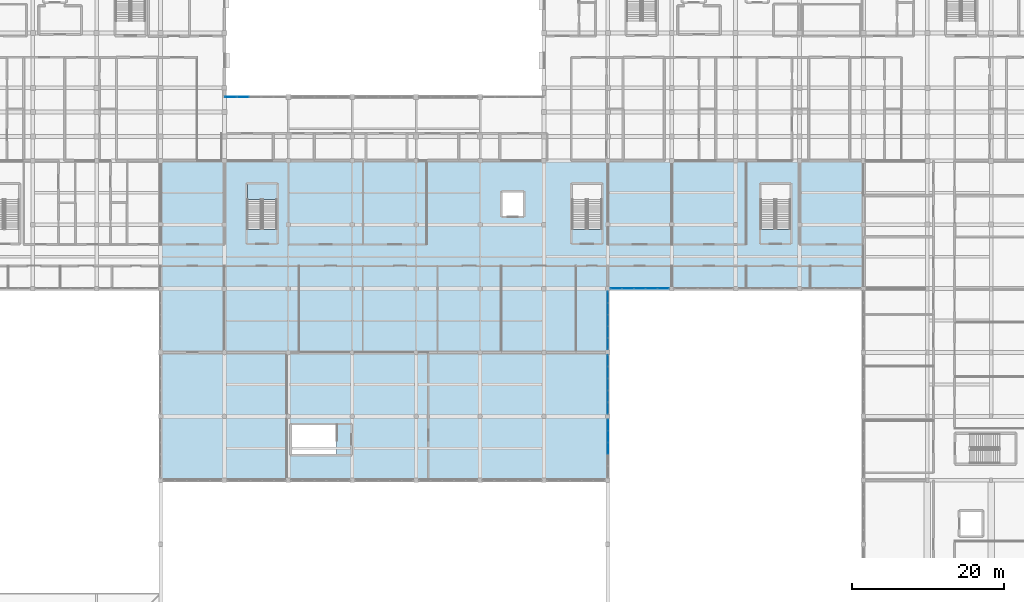
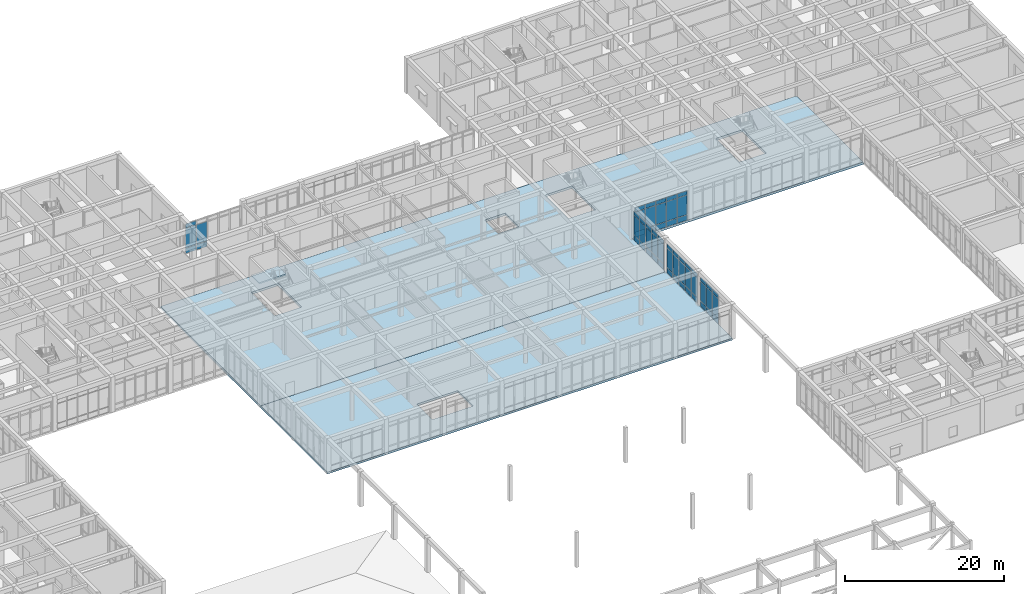
# One storey, part 45 of 89: 59 plates, 3 slabs, 6 elements without a shape of their own.
"""IFC4 building model written with IfcOpenShell, lengths in metres."""

import ifcopenshell
import ifcopenshell.guid

model = None  # the IFC model being written
_history = None  # IfcOwnerHistory: only IFC2X3 demands one
_inside = {}  # id of a spatial element -> (the spatial element, [elements in it])
_under = {}  # id of a project, library or spatial element -> (it, [spatial elements below it])
_declared = {}  # id of a project -> (the project, [libraries it declares])
_typed = {}  # id of a type object -> (the type object, [elements of that type])
_made_of = {}  # id of a material, layer set ... -> (it, [elements and type objects made of it])


def new_model(schema):
    """Start an empty IFC model of exactly this schema.

    Asked for "IFC4X3", IfcOpenShell would pick the latest addendum, in which some entities
    have other attributes; the version numbers below select the first issue.
    IFC2X3 requires an IfcOwnerHistory on every rooted entity: one is made here for all.
    """
    global model, _history
    if schema == "IFC4X3":
        model = ifcopenshell.file(schema_version=(4, 3, 0, 0))
    else:
        model = ifcopenshell.file(schema=schema)
    _inside.clear()
    _under.clear()
    _declared.clear()
    _typed.clear()
    _made_of.clear()
    _history = None
    if model.schema == "IFC2X3":
        org = make("IfcOrganization", Name="unknown")
        user = make(
            "IfcPersonAndOrganization",
            ThePerson=make("IfcPerson", FamilyName="unknown"),
            TheOrganization=org,
        )
        app = make(
            "IfcApplication",
            ApplicationDeveloper=org,
            Version="unknown",
            ApplicationFullName="unknown",
            ApplicationIdentifier="unknown",
        )
        _history = make(
            "IfcOwnerHistory",
            OwningUser=user,
            OwningApplication=app,
            ChangeAction="ADDED",
            CreationDate=0,
        )
    return model


def make(cls, **values):
    """One entity of the class cls with the attributes given. An attribute that is None is left unset."""
    return model.create_entity(
        cls, **{name: value for name, value in values.items() if value is not None}
    )


def rooted(cls, **values):
    """An entity with a GlobalId (a new one), such as an element, a storey or a relation."""
    return make(cls, GlobalId=ifcopenshell.guid.new(), OwnerHistory=_history, **values)


def si_unit(unit_type, name, prefix=None):
    """IfcSIUnit, for example si_unit("LENGTHUNIT", "METRE", prefix="MILLI")."""
    return make("IfcSIUnit", UnitType=unit_type, Prefix=prefix, Name=name)


def assignment(units):
    """IfcUnitAssignment: the units of a project."""
    return None if units is None else make("IfcUnitAssignment", Units=units)


def point(xyz):
    """IfcCartesianPoint."""
    return None if xyz is None else make("IfcCartesianPoint", Coordinates=xyz)


def direction(xyz):
    """IfcDirection."""
    return None if xyz is None else make("IfcDirection", DirectionRatios=xyz)


def frame(location, z_axis=None, x_axis=None):
    """IfcAxis2Placement3D, a coordinate frame: its origin and axes. An axis left out is left unset."""
    return make(
        "IfcAxis2Placement3D",
        Location=point(location),
        Axis=direction(z_axis),
        RefDirection=direction(x_axis),
    )


def frame_2d(location, x_axis=None):
    """IfcAxis2Placement2D, a coordinate frame in the plane: its origin and x axis."""
    return make(
        "IfcAxis2Placement2D", Location=point(location), RefDirection=direction(x_axis)
    )


def origin():
    """The frame at (0, 0, 0) with its axes left unset."""
    return frame((0.0, 0.0, 0.0))


def origin_2d():
    """The frame at (0, 0) in the plane with its x axis left unset."""
    return frame_2d((0.0, 0.0))


def place(relative_to, where):
    """IfcLocalPlacement: puts the frame where relative to a parent placement (None: the world)."""
    return make(
        "IfcLocalPlacement", PlacementRelTo=relative_to, RelativePlacement=where
    )


def context(
    kind, dimensions, precision=None, world=None, true_north=None, identifier=None
):
    """IfcGeometricRepresentationContext, for example the 3D "Model" context."""
    return make(
        "IfcGeometricRepresentationContext",
        ContextIdentifier=identifier,
        ContextType=kind,
        CoordinateSpaceDimension=dimensions,
        Precision=precision,
        WorldCoordinateSystem=world,
        TrueNorth=true_north,
    )


def subcontext(parent, identifier, kind, view, scale=None):
    """IfcGeometricRepresentationSubContext, for example "Body" below "Model"."""
    return make(
        "IfcGeometricRepresentationSubContext",
        ContextIdentifier=identifier,
        ContextType=kind,
        ParentContext=parent,
        TargetScale=scale,
        TargetView=view,
    )


def project(units=None, contexts=None):
    """IfcProject with its units and contexts."""
    return rooted(
        "IfcProject",
        Name="project",
        RepresentationContexts=contexts,
        UnitsInContext=assignment(units),
    )


def spatial(cls, under=None, at=None, **own):
    """A site, building, storey or space (cls), placed at a placement, below another one or the project."""
    s = rooted(cls, ObjectPlacement=at, **own)
    if under is not None:
        _under.setdefault(under.id(), (under, []))[1].append(s)
    return s


def polyline(points):
    """IfcPolyline through the points."""
    return make("IfcPolyline", Points=[point(p) for p in points])


def profile(cls, at=None, kind="AREA", **sizes):
    """A parametric profile (cls). Its sizes go by their IFC names, for example OverallWidth=200.0."""
    return make(cls, ProfileType=kind, Position=at, **sizes)


def rectangle(**sizes):
    """IfcRectangleProfileDef."""
    return profile("IfcRectangleProfileDef", **sizes)


def outline(outer, holes=None, kind="AREA"):
    """IfcArbitraryClosedProfileDef: a profile drawn as a closed curve; with holes, ...WithVoids."""
    if holes is None:
        return make("IfcArbitraryClosedProfileDef", ProfileType=kind, OuterCurve=outer)
    return make(
        "IfcArbitraryProfileDefWithVoids",
        ProfileType=kind,
        OuterCurve=outer,
        InnerCurves=holes,
    )


def extrude(swept, where, along, depth):
    """IfcExtrudedAreaSolid: the profile swept, set in the frame where, extruded along a direction by depth."""
    return make(
        "IfcExtrudedAreaSolid",
        SweptArea=swept,
        Position=where,
        ExtrudedDirection=direction(along),
        Depth=depth,
    )


def shape(context_of_items, identifier, shape_type, items):
    """IfcShapeRepresentation: the items that make up one representation, for example the "Body"."""
    return make(
        "IfcShapeRepresentation",
        ContextOfItems=context_of_items,
        RepresentationIdentifier=identifier,
        RepresentationType=shape_type,
        Items=items,
    )


def material(Name=None, Category=None):
    """IfcMaterial."""
    return make("IfcMaterial", Name=Name, Category=Category)


def layer(
    of_material, thickness, ventilated=None, Name=None, Category=None, Priority=None
):
    """IfcMaterialLayer: one layer of a wall or slab, of a material (None: an air gap)."""
    return make(
        "IfcMaterialLayer",
        Material=of_material,
        LayerThickness=thickness,
        IsVentilated=ventilated,
        Name=Name,
        Category=Category,
        Priority=Priority,
    )


def layer_set(layers, Name=None):
    """IfcMaterialLayerSet."""
    return make("IfcMaterialLayerSet", MaterialLayers=layers, LayerSetName=Name)


def made_of(thing, what):
    """Note that an element or type object is made of a material, layer set ...; save() writes the relation."""
    if what is not None:
        _made_of.setdefault(what.id(), (what, []))[1].append(thing)
    return thing


def type_object(cls, material=None, **own):
    """A type object (cls), such as IfcWallType, which elements share."""
    return made_of(rooted(cls, **own), material)


def element(
    cls,
    number,
    at=None,
    inside=None,
    cuts=None,
    type_object=None,
    material=None,
    context=None,
    identifier="Body",
    shape_type=None,
    held_by="IfcProductDefinitionShape",
    body=None,
    shapes=None,
    **own,
):
    """One element of the class cls, such as IfcWall. Its Tag is "e" and its number.

    at: its placement. inside: the storey or other place that contains it. cuts: it is an
    opening in that element (IfcRelVoidsElement). A single representation is given by context,
    identifier, shape_type and body (its items); several are given by shapes. held_by: the class
    of the entity that holds the representations. save() writes the other relations.
    """
    e = rooted(cls, Tag="e%d" % number, ObjectPlacement=at, **own)
    if body is not None:
        shapes = [shape(context, identifier, shape_type, body)]
    if shapes is not None:
        e.Representation = make(held_by, Representations=shapes)
    if inside is not None:
        _inside.setdefault(inside.id(), (inside, []))[1].append(e)
    if cuts is not None:
        rooted(
            "IfcRelVoidsElement", RelatingBuildingElement=cuts, RelatedOpeningElement=e
        )
    if type_object is not None:
        _typed.setdefault(type_object.id(), (type_object, []))[1].append(e)
    return made_of(e, material)


def aggregate(whole, parts):
    """IfcRelAggregates: a whole, such as a stair, and the parts it consists of."""
    return rooted("IfcRelAggregates", RelatingObject=whole, RelatedObjects=parts)


def save(model, path):
    """Write the relations noted so far, then the file.

    IfcRelAggregates (storeys below a building ...), IfcRelContainedInSpatialStructure (elements
    in a storey), IfcRelDefinesByType, IfcRelAssociatesMaterial and IfcRelDeclares: one each for
    every whole, place, type object, material and project.
    """
    for whole, parts in _under.values():
        aggregate(whole, parts)
    for where, things in _inside.values():
        rooted(
            "IfcRelContainedInSpatialStructure",
            RelatedElements=things,
            RelatingStructure=where,
        )
    for kind, things in _typed.values():
        rooted("IfcRelDefinesByType", RelatedObjects=things, RelatingType=kind)
    for what, things in _made_of.values():
        rooted("IfcRelAssociatesMaterial", RelatedObjects=things, RelatingMaterial=what)
    for by, libraries in _declared.values():
        rooted("IfcRelDeclares", RelatingContext=by, RelatedDefinitions=libraries)
    model.write(path)


model = new_model("IFC4")

# Units and contexts
model_context = context("Model", 3, precision=1e-05, world=origin(), true_north=direction((0.0, 1.0)))
body_context = subcontext(model_context, "Body", "Model", "MODEL_VIEW")
ifc_project = project(units=[si_unit("LENGTHUNIT", "METRE"), si_unit("AREAUNIT", "SQUARE_METRE"), si_unit("VOLUMEUNIT", "CUBIC_METRE"), si_unit("PLANEANGLEUNIT", "RADIAN"), si_unit("MASSUNIT", "GRAM", prefix="KILO")], contexts=[model_context])

# Site, building, storey
site_placement = place(None, origin())
site = spatial("IfcSite", under=ifc_project, at=site_placement, CompositionType="ELEMENT")
building_placement = place(site_placement, origin())
building = spatial("IfcBuilding", under=site, at=building_placement, Name="Varncliffe General Hospital", CompositionType="ELEMENT")
storey_placement = place(building_placement, frame((0.0, 0.0, 10.800048828125)))
storey = spatial("IfcBuildingStorey", under=building, at=storey_placement, Name="L02", CompositionType="ELEMENT", Elevation=10.800048828125)

# Curtain wall, plates
ifc_material_1 = material(Name="Triple low-E argon insulated vision glazing", Category="glass")
curtain_wall_type_1 = type_object("IfcCurtainWallType", Name="Unitised Glazed Curtain Wall CW70 (7724x4640)", PredefinedType="USERDEFINED", material=ifc_material_1)
curtain_wall_1_placement = place(storey_placement, origin())
curtain_wall_1 = element("IfcCurtainWall", 1, at=curtain_wall_1_placement, inside=storey, type_object=curtain_wall_type_1, Name="L02 Glazed Curtain Wall CW70-130", ObjectType="GLAZED CURTAIN WALL", PredefinedType="USERDEFINED")
ifc_layer_1 = layer(ifc_material_1, 0.0439453125)
ifc_layer_set_1 = layer_set([ifc_layer_1], Name="Triple low-E argon insulated vision glazing")
plate_type_1 = type_object("IfcPlateType", Name="Curtain Wall Glazing Panel CP12 (44mm)", PredefinedType="CURTAIN_PANEL", material=ifc_layer_set_1)
plate_1_placement = place(storey_placement, frame((124.870849609375, 82.800048828125, 0.059814453125), z_axis=(0.0, 0.0, 1.0), x_axis=(-1.0, 0.0, 0.0)))
plate_1 = element("IfcPlate", 2, at=plate_1_placement, type_object=plate_type_1, Name="CW70 panel 1.1", PredefinedType="CURTAIN_PANEL", context=body_context, shape_type="SweptSolid", body=[
    extrude(rectangle(XDim=1.432373046875, YDim=0.0439453125, at=origin_2d()), origin(), (0.0, 0.0, 1.0), 0.81005859375),
])
plate_2_placement = place(storey_placement, frame((124.870849609375, 82.800048828125, 0.929931640625), z_axis=(0.0, 0.0, 1.0), x_axis=(-1.0, 0.0, 0.0)))
plate_2 = element("IfcPlate", 3, at=plate_2_placement, type_object=plate_type_1, Name="CW70 panel 1.2", PredefinedType="CURTAIN_PANEL", context=body_context, shape_type="SweptSolid", body=[
    extrude(rectangle(XDim=1.432373046875, YDim=0.0439453125, at=origin_2d()), origin(), (0.0, 0.0, 1.0), 2.97998046875),
])
plate_3_placement = place(storey_placement, frame((124.870849609375, 82.800048828125, 3.9697265625), z_axis=(0.0, 0.0, 1.0), x_axis=(-1.0, 0.0, 0.0)))
plate_3 = element("IfcPlate", 4, at=plate_3_placement, type_object=plate_type_1, Name="CW70 panel 1.3", PredefinedType="CURTAIN_PANEL", context=body_context, shape_type="SweptSolid", body=[
    extrude(rectangle(XDim=1.432373046875, YDim=0.0439453125, at=origin_2d()), origin(), (0.0, 0.0, 1.0), 0.610107421875),
])
plate_4_placement = place(storey_placement, frame((123.3447265625, 82.800048828125, 0.059814453125), z_axis=(0.0, 0.0, 1.0), x_axis=(-1.0, 0.0, 0.0)))
plate_4 = element("IfcPlate", 5, at=plate_4_placement, type_object=plate_type_1, Name="CW70 panel 2.1", PredefinedType="CURTAIN_PANEL", context=body_context, shape_type="SweptSolid", body=[
    extrude(rectangle(XDim=1.4697265625, YDim=0.0439453125, at=origin_2d()), origin(), (0.0, 0.0, 1.0), 0.81005859375),
])
plate_5_placement = place(storey_placement, frame((123.3447265625, 82.800048828125, 0.929931640625), z_axis=(0.0, 0.0, 1.0), x_axis=(-1.0, 0.0, 0.0)))
plate_5 = element("IfcPlate", 6, at=plate_5_placement, type_object=plate_type_1, Name="CW70 panel 2.2", PredefinedType="CURTAIN_PANEL", context=body_context, shape_type="SweptSolid", body=[
    extrude(rectangle(XDim=1.4697265625, YDim=0.0439453125, at=origin_2d()), origin(), (0.0, 0.0, 1.0), 2.97998046875),
])
plate_6_placement = place(storey_placement, frame((123.3447265625, 82.800048828125, 3.9697265625), z_axis=(0.0, 0.0, 1.0), x_axis=(-1.0, 0.0, 0.0)))
plate_6 = element("IfcPlate", 7, at=plate_6_placement, type_object=plate_type_1, Name="CW70 panel 2.3", PredefinedType="CURTAIN_PANEL", context=body_context, shape_type="SweptSolid", body=[
    extrude(rectangle(XDim=1.4697265625, YDim=0.0439453125, at=origin_2d()), origin(), (0.0, 0.0, 1.0), 0.610107421875),
])
plate_7_placement = place(storey_placement, frame((121.800048828125, 82.800048828125, 0.059814453125), z_axis=(0.0, 0.0, 1.0), x_axis=(-1.0, 0.0, 0.0)))
plate_7 = element("IfcPlate", 8, at=plate_7_placement, type_object=plate_type_1, Name="CW70 panel 3.1", PredefinedType="CURTAIN_PANEL", context=body_context, shape_type="SweptSolid", body=[
    extrude(rectangle(XDim=1.4697265625, YDim=0.0439453125, at=origin_2d()), origin(), (0.0, 0.0, 1.0), 0.81005859375),
])
plate_8_placement = place(storey_placement, frame((121.800048828125, 82.800048828125, 0.929931640625), z_axis=(0.0, 0.0, 1.0), x_axis=(-1.0, 0.0, 0.0)))
plate_8 = element("IfcPlate", 9, at=plate_8_placement, type_object=plate_type_1, Name="CW70 panel 3.2", PredefinedType="CURTAIN_PANEL", context=body_context, shape_type="SweptSolid", body=[
    extrude(rectangle(XDim=1.4697265625, YDim=0.0439453125, at=origin_2d()), origin(), (0.0, 0.0, 1.0), 2.97998046875),
])
plate_9_placement = place(storey_placement, frame((121.800048828125, 82.800048828125, 3.9697265625), z_axis=(0.0, 0.0, 1.0), x_axis=(-1.0, 0.0, 0.0)))
plate_9 = element("IfcPlate", 10, at=plate_9_placement, type_object=plate_type_1, Name="CW70 panel 3.3", PredefinedType="CURTAIN_PANEL", context=body_context, shape_type="SweptSolid", body=[
    extrude(rectangle(XDim=1.4697265625, YDim=0.0439453125, at=origin_2d()), origin(), (0.0, 0.0, 1.0), 0.610107421875),
])
plate_10_placement = place(storey_placement, frame((120.255126953125, 82.800048828125, 0.059814453125), z_axis=(0.0, 0.0, 1.0), x_axis=(-1.0, 0.0, 0.0)))
plate_10 = element("IfcPlate", 11, at=plate_10_placement, type_object=plate_type_1, Name="CW70 panel 4.1", PredefinedType="CURTAIN_PANEL", context=body_context, shape_type="SweptSolid", body=[
    extrude(rectangle(XDim=1.4697265625, YDim=0.0439453125, at=origin_2d()), origin(), (0.0, 0.0, 1.0), 0.81005859375),
])
plate_11_placement = place(storey_placement, frame((120.255126953125, 82.800048828125, 0.929931640625), z_axis=(0.0, 0.0, 1.0), x_axis=(-1.0, 0.0, 0.0)))
plate_11 = element("IfcPlate", 12, at=plate_11_placement, type_object=plate_type_1, Name="CW70 panel 4.2", PredefinedType="CURTAIN_PANEL", context=body_context, shape_type="SweptSolid", body=[
    extrude(rectangle(XDim=1.4697265625, YDim=0.0439453125, at=origin_2d()), origin(), (0.0, 0.0, 1.0), 2.97998046875),
])
plate_12_placement = place(storey_placement, frame((120.255126953125, 82.800048828125, 3.9697265625), z_axis=(0.0, 0.0, 1.0), x_axis=(-1.0, 0.0, 0.0)))
plate_12 = element("IfcPlate", 13, at=plate_12_placement, type_object=plate_type_1, Name="CW70 panel 4.3", PredefinedType="CURTAIN_PANEL", context=body_context, shape_type="SweptSolid", body=[
    extrude(rectangle(XDim=1.4697265625, YDim=0.0439453125, at=origin_2d()), origin(), (0.0, 0.0, 1.0), 0.610107421875),
])
plate_13_placement = place(storey_placement, frame((118.729248046875, 82.800048828125, 0.059814453125), z_axis=(0.0, 0.0, 1.0), x_axis=(-1.0, 0.0, 0.0)))
plate_13 = element("IfcPlate", 14, at=plate_13_placement, type_object=plate_type_1, Name="CW70 panel 5.1", PredefinedType="CURTAIN_PANEL", context=body_context, shape_type="SweptSolid", body=[
    extrude(rectangle(XDim=1.432373046875, YDim=0.0439453125, at=origin_2d()), origin(), (0.0, 0.0, 1.0), 0.81005859375),
])
plate_14_placement = place(storey_placement, frame((118.729248046875, 82.800048828125, 0.929931640625), z_axis=(0.0, 0.0, 1.0), x_axis=(-1.0, 0.0, 0.0)))
plate_14 = element("IfcPlate", 15, at=plate_14_placement, type_object=plate_type_1, Name="CW70 panel 5.2", PredefinedType="CURTAIN_PANEL", context=body_context, shape_type="SweptSolid", body=[
    extrude(rectangle(XDim=1.432373046875, YDim=0.0439453125, at=origin_2d()), origin(), (0.0, 0.0, 1.0), 2.97998046875),
])
plate_15_placement = place(storey_placement, frame((118.729248046875, 82.800048828125, 3.9697265625), z_axis=(0.0, 0.0, 1.0), x_axis=(-1.0, 0.0, 0.0)))
plate_15 = element("IfcPlate", 16, at=plate_15_placement, type_object=plate_type_1, Name="CW70 panel 5.3", PredefinedType="CURTAIN_PANEL", context=body_context, shape_type="SweptSolid", body=[
    extrude(rectangle(XDim=1.432373046875, YDim=0.0439453125, at=origin_2d()), origin(), (0.0, 0.0, 1.0), 0.610107421875),
])
aggregate(curtain_wall_1, [plate_1, plate_2, plate_3, plate_4, plate_5, plate_6, plate_7, plate_8, plate_9, plate_10, plate_11, plate_12, plate_13, plate_14, plate_15])

curtain_wall_2_placement = place(storey_placement, origin())
curtain_wall_2 = element("IfcCurtainWall", 17, at=curtain_wall_2_placement, inside=storey, type_object=curtain_wall_type_1, Name="L02 Glazed Curtain Wall CW70-133", ObjectType="GLAZED CURTAIN WALL", PredefinedType="USERDEFINED")
plate_16_placement = place(storey_placement, frame((117.60009765625, 64.870849609375, 0.059814453125), z_axis=(0.0, 0.0, 1.0), x_axis=(0.0, -1.0, 0.0)))
plate_16 = element("IfcPlate", 18, at=plate_16_placement, type_object=plate_type_1, Name="CW70 panel 1.1", PredefinedType="CURTAIN_PANEL", context=body_context, shape_type="SweptSolid", body=[
    extrude(rectangle(XDim=1.432373046875, YDim=0.0439453125, at=origin_2d()), origin(), (0.0, 0.0, 1.0), 0.81005859375),
])
plate_17_placement = place(storey_placement, frame((117.60009765625, 64.870849609375, 0.929931640625), z_axis=(0.0, 0.0, 1.0), x_axis=(0.0, -1.0, 0.0)))
plate_17 = element("IfcPlate", 19, at=plate_17_placement, type_object=plate_type_1, Name="CW70 panel 1.2", PredefinedType="CURTAIN_PANEL", context=body_context, shape_type="SweptSolid", body=[
    extrude(rectangle(XDim=1.432373046875, YDim=0.0439453125, at=origin_2d()), origin(), (0.0, 0.0, 1.0), 2.97998046875),
])
plate_18_placement = place(storey_placement, frame((117.60009765625, 64.870849609375, 3.9697265625), z_axis=(0.0, 0.0, 1.0), x_axis=(0.0, -1.0, 0.0)))
plate_18 = element("IfcPlate", 20, at=plate_18_placement, type_object=plate_type_1, Name="CW70 panel 1.3", PredefinedType="CURTAIN_PANEL", context=body_context, shape_type="SweptSolid", body=[
    extrude(rectangle(XDim=1.432373046875, YDim=0.0439453125, at=origin_2d()), origin(), (0.0, 0.0, 1.0), 0.610107421875),
])
plate_19_placement = place(storey_placement, frame((117.60009765625, 63.3447265625, 0.059814453125), z_axis=(0.0, 0.0, 1.0), x_axis=(0.0, -1.0, 0.0)))
plate_19 = element("IfcPlate", 21, at=plate_19_placement, type_object=plate_type_1, Name="CW70 panel 2.1", PredefinedType="CURTAIN_PANEL", context=body_context, shape_type="SweptSolid", body=[
    extrude(rectangle(XDim=1.4697265625, YDim=0.0439453125, at=origin_2d()), origin(), (0.0, 0.0, 1.0), 0.81005859375),
])
plate_20_placement = place(storey_placement, frame((117.60009765625, 63.3447265625, 0.929931640625), z_axis=(0.0, 0.0, 1.0), x_axis=(0.0, -1.0, 0.0)))
plate_20 = element("IfcPlate", 22, at=plate_20_placement, type_object=plate_type_1, Name="CW70 panel 2.2", PredefinedType="CURTAIN_PANEL", context=body_context, shape_type="SweptSolid", body=[
    extrude(rectangle(XDim=1.4697265625, YDim=0.0439453125, at=origin_2d()), origin(), (0.0, 0.0, 1.0), 2.97998046875),
])
plate_21_placement = place(storey_placement, frame((117.60009765625, 63.3447265625, 3.9697265625), z_axis=(0.0, 0.0, 1.0), x_axis=(0.0, -1.0, 0.0)))
plate_21 = element("IfcPlate", 23, at=plate_21_placement, type_object=plate_type_1, Name="CW70 panel 2.3", PredefinedType="CURTAIN_PANEL", context=body_context, shape_type="SweptSolid", body=[
    extrude(rectangle(XDim=1.4697265625, YDim=0.0439453125, at=origin_2d()), origin(), (0.0, 0.0, 1.0), 0.610107421875),
])
plate_22_placement = place(storey_placement, frame((117.60009765625, 61.800048828125, 0.059814453125), z_axis=(0.0, 0.0, 1.0), x_axis=(0.0, -1.0, 0.0)))
plate_22 = element("IfcPlate", 24, at=plate_22_placement, type_object=plate_type_1, Name="CW70 panel 3.1", PredefinedType="CURTAIN_PANEL", context=body_context, shape_type="SweptSolid", body=[
    extrude(rectangle(XDim=1.4697265625, YDim=0.0439453125, at=origin_2d()), origin(), (0.0, 0.0, 1.0), 0.81005859375),
])
plate_23_placement = place(storey_placement, frame((117.60009765625, 61.800048828125, 0.929931640625), z_axis=(0.0, 0.0, 1.0), x_axis=(0.0, -1.0, 0.0)))
plate_23 = element("IfcPlate", 25, at=plate_23_placement, type_object=plate_type_1, Name="CW70 panel 3.2", PredefinedType="CURTAIN_PANEL", context=body_context, shape_type="SweptSolid", body=[
    extrude(rectangle(XDim=1.4697265625, YDim=0.0439453125, at=origin_2d()), origin(), (0.0, 0.0, 1.0), 2.97998046875),
])
plate_24_placement = place(storey_placement, frame((117.60009765625, 61.800048828125, 3.9697265625), z_axis=(0.0, 0.0, 1.0), x_axis=(0.0, -1.0, 0.0)))
plate_24 = element("IfcPlate", 26, at=plate_24_placement, type_object=plate_type_1, Name="CW70 panel 3.3", PredefinedType="CURTAIN_PANEL", context=body_context, shape_type="SweptSolid", body=[
    extrude(rectangle(XDim=1.4697265625, YDim=0.0439453125, at=origin_2d()), origin(), (0.0, 0.0, 1.0), 0.610107421875),
])
aggregate(curtain_wall_2, [plate_16, plate_17, plate_18, plate_19, plate_20, plate_21, plate_22, plate_23, plate_24])

curtain_wall_type_2 = type_object("IfcCurtainWallType", Name="Unitised Glazed Curtain Wall CW85 (7804x4640)", PredefinedType="USERDEFINED", material=ifc_material_1)
curtain_wall_3_placement = place(storey_placement, origin())
curtain_wall_3 = element("IfcCurtainWall", 27, at=curtain_wall_3_placement, inside=storey, type_object=curtain_wall_type_2, Name="L02 Glazed Curtain Wall CW85-132", ObjectType="GLAZED CURTAIN WALL", PredefinedType="USERDEFINED")
ifc_layer_2 = layer(ifc_material_1, 0.035888671875)
ifc_layer_set_2 = layer_set([ifc_layer_2], Name="Triple low-E argon insulated vision glazing")
plate_type_2 = type_object("IfcPlateType", Name="Curtain Wall Glazing Panel CP27 (36mm)", PredefinedType="CURTAIN_PANEL", material=ifc_layer_set_2)
plate_25_placement = place(storey_placement, frame((117.60009765625, 73.302734375, 0.06494140625), z_axis=(0.0, 0.0, 1.0), x_axis=(0.0, -1.0, 0.0)))
plate_25 = element("IfcPlate", 28, at=plate_25_placement, type_object=plate_type_2, Name="CW85 panel 1.1", PredefinedType="CURTAIN_PANEL", context=body_context, shape_type="SweptSolid", body=[
    extrude(rectangle(XDim=1.4482421875, YDim=0.035888671875, at=origin_2d()), origin(), (0.0, 0.0, 1.0), 0.802490234375),
])
plate_26_placement = place(storey_placement, frame((117.60009765625, 73.302734375, 0.932373046875), z_axis=(0.0, 0.0, 1.0), x_axis=(0.0, -1.0, 0.0)))
plate_26 = element("IfcPlate", 29, at=plate_26_placement, type_object=plate_type_2, Name="CW85 panel 1.2", PredefinedType="CURTAIN_PANEL", context=body_context, shape_type="SweptSolid", body=[
    extrude(rectangle(XDim=1.4482421875, YDim=0.035888671875, at=origin_2d()), origin(), (0.0, 0.0, 1.0), 2.97509765625),
])
plate_27_placement = place(storey_placement, frame((117.60009765625, 73.302734375, 3.972412109375), z_axis=(0.0, 0.0, 1.0), x_axis=(0.0, -1.0, 0.0)))
plate_27 = element("IfcPlate", 30, at=plate_27_placement, type_object=plate_type_2, Name="CW85 panel 1.3", PredefinedType="CURTAIN_PANEL", context=body_context, shape_type="SweptSolid", body=[
    extrude(rectangle(XDim=1.4482421875, YDim=0.035888671875, at=origin_2d()), origin(), (0.0, 0.0, 1.0), 0.6025390625),
])
plate_28_placement = place(storey_placement, frame((117.60009765625, 71.7607421875, 0.06494140625), z_axis=(0.0, 0.0, 1.0), x_axis=(0.0, -1.0, 0.0)))
plate_28 = element("IfcPlate", 31, at=plate_28_placement, type_object=plate_type_2, Name="CW85 panel 2.1", PredefinedType="CURTAIN_PANEL", context=body_context, shape_type="SweptSolid", body=[
    extrude(rectangle(XDim=1.48583984375, YDim=0.035888671875, at=origin_2d()), origin(), (0.0, 0.0, 1.0), 0.802490234375),
])
plate_29_placement = place(storey_placement, frame((117.60009765625, 71.7607421875, 0.932373046875), z_axis=(0.0, 0.0, 1.0), x_axis=(0.0, -1.0, 0.0)))
plate_29 = element("IfcPlate", 32, at=plate_29_placement, type_object=plate_type_2, Name="CW85 panel 2.2", PredefinedType="CURTAIN_PANEL", context=body_context, shape_type="SweptSolid", body=[
    extrude(rectangle(XDim=1.48583984375, YDim=0.035888671875, at=origin_2d()), origin(), (0.0, 0.0, 1.0), 2.97509765625),
])
plate_30_placement = place(storey_placement, frame((117.60009765625, 71.7607421875, 3.972412109375), z_axis=(0.0, 0.0, 1.0), x_axis=(0.0, -1.0, 0.0)))
plate_30 = element("IfcPlate", 33, at=plate_30_placement, type_object=plate_type_2, Name="CW85 panel 2.3", PredefinedType="CURTAIN_PANEL", context=body_context, shape_type="SweptSolid", body=[
    extrude(rectangle(XDim=1.48583984375, YDim=0.035888671875, at=origin_2d()), origin(), (0.0, 0.0, 1.0), 0.6025390625),
])
plate_31_placement = place(storey_placement, frame((117.60009765625, 70.199951171875, 0.06494140625), z_axis=(0.0, 0.0, 1.0), x_axis=(0.0, -1.0, 0.0)))
plate_31 = element("IfcPlate", 34, at=plate_31_placement, type_object=plate_type_2, Name="CW85 panel 3.1", PredefinedType="CURTAIN_PANEL", context=body_context, shape_type="SweptSolid", body=[
    extrude(rectangle(XDim=1.48583984375, YDim=0.035888671875, at=origin_2d()), origin(), (0.0, 0.0, 1.0), 0.802490234375),
])
plate_32_placement = place(storey_placement, frame((117.60009765625, 70.199951171875, 0.932373046875), z_axis=(0.0, 0.0, 1.0), x_axis=(0.0, -1.0, 0.0)))
plate_32 = element("IfcPlate", 35, at=plate_32_placement, type_object=plate_type_2, Name="CW85 panel 3.2", PredefinedType="CURTAIN_PANEL", context=body_context, shape_type="SweptSolid", body=[
    extrude(rectangle(XDim=1.48583984375, YDim=0.035888671875, at=origin_2d()), origin(), (0.0, 0.0, 1.0), 2.97509765625),
])
plate_33_placement = place(storey_placement, frame((117.60009765625, 70.199951171875, 3.972412109375), z_axis=(0.0, 0.0, 1.0), x_axis=(0.0, -1.0, 0.0)))
plate_33 = element("IfcPlate", 36, at=plate_33_placement, type_object=plate_type_2, Name="CW85 panel 3.3", PredefinedType="CURTAIN_PANEL", context=body_context, shape_type="SweptSolid", body=[
    extrude(rectangle(XDim=1.48583984375, YDim=0.035888671875, at=origin_2d()), origin(), (0.0, 0.0, 1.0), 0.6025390625),
])
plate_34_placement = place(storey_placement, frame((117.60009765625, 68.63916015625, 0.06494140625), z_axis=(0.0, 0.0, 1.0), x_axis=(0.0, -1.0, 0.0)))
plate_34 = element("IfcPlate", 37, at=plate_34_placement, type_object=plate_type_2, Name="CW85 panel 4.1", PredefinedType="CURTAIN_PANEL", context=body_context, shape_type="SweptSolid", body=[
    extrude(rectangle(XDim=1.48583984375, YDim=0.035888671875, at=origin_2d()), origin(), (0.0, 0.0, 1.0), 0.802490234375),
])
plate_35_placement = place(storey_placement, frame((117.60009765625, 68.63916015625, 0.932373046875), z_axis=(0.0, 0.0, 1.0), x_axis=(0.0, -1.0, 0.0)))
plate_35 = element("IfcPlate", 38, at=plate_35_placement, type_object=plate_type_2, Name="CW85 panel 4.2", PredefinedType="CURTAIN_PANEL", context=body_context, shape_type="SweptSolid", body=[
    extrude(rectangle(XDim=1.48583984375, YDim=0.035888671875, at=origin_2d()), origin(), (0.0, 0.0, 1.0), 2.97509765625),
])
plate_36_placement = place(storey_placement, frame((117.60009765625, 68.63916015625, 3.972412109375), z_axis=(0.0, 0.0, 1.0), x_axis=(0.0, -1.0, 0.0)))
plate_36 = element("IfcPlate", 39, at=plate_36_placement, type_object=plate_type_2, Name="CW85 panel 4.3", PredefinedType="CURTAIN_PANEL", context=body_context, shape_type="SweptSolid", body=[
    extrude(rectangle(XDim=1.48583984375, YDim=0.035888671875, at=origin_2d()), origin(), (0.0, 0.0, 1.0), 0.6025390625),
])
plate_37_placement = place(storey_placement, frame((117.60009765625, 67.09716796875, 0.06494140625), z_axis=(0.0, 0.0, 1.0), x_axis=(0.0, -1.0, 0.0)))
plate_37 = element("IfcPlate", 40, at=plate_37_placement, type_object=plate_type_2, Name="CW85 panel 5.1", PredefinedType="CURTAIN_PANEL", context=body_context, shape_type="SweptSolid", body=[
    extrude(rectangle(XDim=1.4482421875, YDim=0.035888671875, at=origin_2d()), origin(), (0.0, 0.0, 1.0), 0.802490234375),
])
plate_38_placement = place(storey_placement, frame((117.60009765625, 67.09716796875, 0.932373046875), z_axis=(0.0, 0.0, 1.0), x_axis=(0.0, -1.0, 0.0)))
plate_38 = element("IfcPlate", 41, at=plate_38_placement, type_object=plate_type_2, Name="CW85 panel 5.2", PredefinedType="CURTAIN_PANEL", context=body_context, shape_type="SweptSolid", body=[
    extrude(rectangle(XDim=1.4482421875, YDim=0.035888671875, at=origin_2d()), origin(), (0.0, 0.0, 1.0), 2.97509765625),
])
plate_39_placement = place(storey_placement, frame((117.60009765625, 67.09716796875, 3.972412109375), z_axis=(0.0, 0.0, 1.0), x_axis=(0.0, -1.0, 0.0)))
plate_39 = element("IfcPlate", 42, at=plate_39_placement, type_object=plate_type_2, Name="CW85 panel 5.3", PredefinedType="CURTAIN_PANEL", context=body_context, shape_type="SweptSolid", body=[
    extrude(rectangle(XDim=1.4482421875, YDim=0.035888671875, at=origin_2d()), origin(), (0.0, 0.0, 1.0), 0.6025390625),
])
aggregate(curtain_wall_3, [plate_25, plate_26, plate_27, plate_28, plate_29, plate_30, plate_31, plate_32, plate_33, plate_34, plate_35, plate_36, plate_37, plate_38, plate_39])

curtain_wall_type_3 = type_object("IfcCurtainWallType", Name="Unitised Glazed Curtain Wall CW32 (8077x4640)", PredefinedType="USERDEFINED", material=ifc_material_1)
curtain_wall_4_placement = place(storey_placement, origin())
curtain_wall_4 = element("IfcCurtainWall", 43, at=curtain_wall_4_placement, inside=storey, type_object=curtain_wall_type_3, Name="L02 Glazed Curtain Wall CW32-111", ObjectType="GLAZED CURTAIN WALL", PredefinedType="USERDEFINED")
ifc_material_2 = material(Name="Insulated ceramic-fritted spandrel glazing panel", Category="glass")
ifc_layer_3 = layer(ifc_material_2, 0.052001953125)
ifc_layer_set_3 = layer_set([ifc_layer_3], Name="Insulated ceramic-fritted spandrel glazing panel")
plate_type_3 = type_object("IfcPlateType", Name="Curtain Wall Glazing Panel CP46 (52mm)", PredefinedType="CURTAIN_PANEL", material=ifc_layer_set_3)
plate_40_placement = place(storey_placement, frame((68.0263671875, 108.0, 0.06494140625), z_axis=(0.0, 0.0, 1.0), x_axis=(1.0, 0.0, 0.0)))
plate_40 = element("IfcPlate", 44, at=plate_40_placement, type_object=plate_type_3, Name="CW32 panel 1.1", PredefinedType="CURTAIN_PANEL", context=body_context, shape_type="SweptSolid", body=[
    extrude(rectangle(XDim=1.5029296875, YDim=0.052001953125, at=origin_2d()), origin(), (0.0, 0.0, 1.0), 0.802490234375),
])
plate_41_placement = place(storey_placement, frame((68.0263671875, 108.0, 0.932373046875), z_axis=(0.0, 0.0, 1.0), x_axis=(1.0, 0.0, 0.0)))
plate_41 = element("IfcPlate", 45, at=plate_41_placement, type_object=plate_type_3, Name="CW32 panel 1.2", PredefinedType="CURTAIN_PANEL", context=body_context, shape_type="SweptSolid", body=[
    extrude(rectangle(XDim=1.5029296875, YDim=0.052001953125, at=origin_2d()), origin(), (0.0, 0.0, 1.0), 2.97509765625),
])
plate_42_placement = place(storey_placement, frame((68.0263671875, 108.0, 3.972412109375), z_axis=(0.0, 0.0, 1.0), x_axis=(1.0, 0.0, 0.0)))
plate_42 = element("IfcPlate", 46, at=plate_42_placement, type_object=plate_type_3, Name="CW32 panel 1.3", PredefinedType="CURTAIN_PANEL", context=body_context, shape_type="SweptSolid", body=[
    extrude(rectangle(XDim=1.5029296875, YDim=0.052001953125, at=origin_2d()), origin(), (0.0, 0.0, 1.0), 0.6025390625),
])
plate_43_placement = place(storey_placement, frame((69.623046875, 108.0, 0.06494140625), z_axis=(0.0, 0.0, 1.0), x_axis=(1.0, 0.0, 0.0)))
plate_43 = element("IfcPlate", 47, at=plate_43_placement, type_object=plate_type_3, Name="CW32 panel 2.1", PredefinedType="CURTAIN_PANEL", context=body_context, shape_type="SweptSolid", body=[
    extrude(rectangle(XDim=1.540283203125, YDim=0.052001953125, at=origin_2d()), origin(), (0.0, 0.0, 1.0), 0.802490234375),
])
plate_44_placement = place(storey_placement, frame((69.623046875, 108.0, 0.932373046875), z_axis=(0.0, 0.0, 1.0), x_axis=(1.0, 0.0, 0.0)))
plate_44 = element("IfcPlate", 48, at=plate_44_placement, type_object=plate_type_3, Name="CW32 panel 2.2", PredefinedType="CURTAIN_PANEL", context=body_context, shape_type="SweptSolid", body=[
    extrude(rectangle(XDim=1.540283203125, YDim=0.052001953125, at=origin_2d()), origin(), (0.0, 0.0, 1.0), 2.97509765625),
])
aggregate(curtain_wall_4, [plate_40, plate_41, plate_42, plate_43, plate_44])

curtain_wall_type_4 = type_object("IfcCurtainWallType", Name="Unitised Glazed Curtain Wall CW27 (7644x4640)", PredefinedType="USERDEFINED", material=ifc_material_1)
curtain_wall_5_placement = place(storey_placement, origin())
curtain_wall_5 = element("IfcCurtainWall", 49, at=curtain_wall_5_placement, inside=storey, type_object=curtain_wall_type_4, Name="L02 Glazed Curtain Wall CW27-131", ObjectType="GLAZED CURTAIN WALL", PredefinedType="USERDEFINED")
ifc_layer_4 = layer(ifc_material_1, 0.028076171875)
ifc_layer_set_4 = layer_set([ifc_layer_4], Name="Triple low-E argon insulated vision glazing")
plate_type_4 = type_object("IfcPlateType", Name="Curtain Wall Glazing Panel CP48 (28mm)", PredefinedType="CURTAIN_PANEL", material=ifc_layer_set_4)
plate_45_placement = place(storey_placement, frame((117.60009765625, 81.641357421875, 0.059814453125), z_axis=(0.0, 0.0, 1.0), x_axis=(0.0, -1.0, 0.0)))
plate_45 = element("IfcPlate", 50, at=plate_45_placement, type_object=plate_type_4, Name="CW27 panel 1.1", PredefinedType="CURTAIN_PANEL", context=body_context, shape_type="SweptSolid", body=[
    extrude(rectangle(XDim=1.431396484375, YDim=0.028076171875, at=origin_2d()), origin(), (0.0, 0.0, 1.0), 0.81005859375),
])
plate_46_placement = place(storey_placement, frame((117.60009765625, 81.641357421875, 0.929931640625), z_axis=(0.0, 0.0, 1.0), x_axis=(0.0, -1.0, 0.0)))
plate_46 = element("IfcPlate", 51, at=plate_46_placement, type_object=plate_type_4, Name="CW27 panel 1.2", PredefinedType="CURTAIN_PANEL", context=body_context, shape_type="SweptSolid", body=[
    extrude(rectangle(XDim=1.431396484375, YDim=0.028076171875, at=origin_2d()), origin(), (0.0, 0.0, 1.0), 2.97998046875),
])
plate_47_placement = place(storey_placement, frame((117.60009765625, 81.641357421875, 3.9697265625), z_axis=(0.0, 0.0, 1.0), x_axis=(0.0, -1.0, 0.0)))
plate_47 = element("IfcPlate", 52, at=plate_47_placement, type_object=plate_type_4, Name="CW27 panel 1.3", PredefinedType="CURTAIN_PANEL", context=body_context, shape_type="SweptSolid", body=[
    extrude(rectangle(XDim=1.431396484375, YDim=0.028076171875, at=origin_2d()), origin(), (0.0, 0.0, 1.0), 0.610107421875),
])
plate_48_placement = place(storey_placement, frame((117.60009765625, 80.12890625, 0.059814453125), z_axis=(0.0, 0.0, 1.0), x_axis=(0.0, -1.0, 0.0)))
plate_48 = element("IfcPlate", 53, at=plate_48_placement, type_object=plate_type_4, Name="CW27 panel 2.1", PredefinedType="CURTAIN_PANEL", context=body_context, shape_type="SweptSolid", body=[
    extrude(rectangle(XDim=1.4638671875, YDim=0.028076171875, at=origin_2d()), origin(), (0.0, 0.0, 1.0), 0.81005859375),
])
plate_49_placement = place(storey_placement, frame((117.60009765625, 80.12890625, 0.929931640625), z_axis=(0.0, 0.0, 1.0), x_axis=(0.0, -1.0, 0.0)))
plate_49 = element("IfcPlate", 54, at=plate_49_placement, type_object=plate_type_4, Name="CW27 panel 2.2", PredefinedType="CURTAIN_PANEL", context=body_context, shape_type="SweptSolid", body=[
    extrude(rectangle(XDim=1.4638671875, YDim=0.028076171875, at=origin_2d()), origin(), (0.0, 0.0, 1.0), 2.97998046875),
])
plate_50_placement = place(storey_placement, frame((117.60009765625, 80.12890625, 3.9697265625), z_axis=(0.0, 0.0, 1.0), x_axis=(0.0, -1.0, 0.0)))
plate_50 = element("IfcPlate", 55, at=plate_50_placement, type_object=plate_type_4, Name="CW27 panel 2.3", PredefinedType="CURTAIN_PANEL", context=body_context, shape_type="SweptSolid", body=[
    extrude(rectangle(XDim=1.4638671875, YDim=0.028076171875, at=origin_2d()), origin(), (0.0, 0.0, 1.0), 0.610107421875),
])
plate_51_placement = place(storey_placement, frame((117.60009765625, 78.60009765625, 0.059814453125), z_axis=(0.0, 0.0, 1.0), x_axis=(0.0, -1.0, 0.0)))
plate_51 = element("IfcPlate", 56, at=plate_51_placement, type_object=plate_type_4, Name="CW27 panel 3.1", PredefinedType="CURTAIN_PANEL", context=body_context, shape_type="SweptSolid", body=[
    extrude(rectangle(XDim=1.4638671875, YDim=0.028076171875, at=origin_2d()), origin(), (0.0, 0.0, 1.0), 0.81005859375),
])
plate_52_placement = place(storey_placement, frame((117.60009765625, 78.60009765625, 0.929931640625), z_axis=(0.0, 0.0, 1.0), x_axis=(0.0, -1.0, 0.0)))
plate_52 = element("IfcPlate", 57, at=plate_52_placement, type_object=plate_type_4, Name="CW27 panel 3.2", PredefinedType="CURTAIN_PANEL", context=body_context, shape_type="SweptSolid", body=[
    extrude(rectangle(XDim=1.4638671875, YDim=0.028076171875, at=origin_2d()), origin(), (0.0, 0.0, 1.0), 2.97998046875),
])
plate_53_placement = place(storey_placement, frame((117.60009765625, 78.60009765625, 3.9697265625), z_axis=(0.0, 0.0, 1.0), x_axis=(0.0, -1.0, 0.0)))
plate_53 = element("IfcPlate", 58, at=plate_53_placement, type_object=plate_type_4, Name="CW27 panel 3.3", PredefinedType="CURTAIN_PANEL", context=body_context, shape_type="SweptSolid", body=[
    extrude(rectangle(XDim=1.4638671875, YDim=0.028076171875, at=origin_2d()), origin(), (0.0, 0.0, 1.0), 0.610107421875),
])
plate_54_placement = place(storey_placement, frame((117.60009765625, 77.0712890625, 0.059814453125), z_axis=(0.0, 0.0, 1.0), x_axis=(0.0, -1.0, 0.0)))
plate_54 = element("IfcPlate", 59, at=plate_54_placement, type_object=plate_type_4, Name="CW27 panel 4.1", PredefinedType="CURTAIN_PANEL", context=body_context, shape_type="SweptSolid", body=[
    extrude(rectangle(XDim=1.4638671875, YDim=0.028076171875, at=origin_2d()), origin(), (0.0, 0.0, 1.0), 0.81005859375),
])
plate_55_placement = place(storey_placement, frame((117.60009765625, 77.0712890625, 0.929931640625), z_axis=(0.0, 0.0, 1.0), x_axis=(0.0, -1.0, 0.0)))
plate_55 = element("IfcPlate", 60, at=plate_55_placement, type_object=plate_type_4, Name="CW27 panel 4.2", PredefinedType="CURTAIN_PANEL", context=body_context, shape_type="SweptSolid", body=[
    extrude(rectangle(XDim=1.4638671875, YDim=0.028076171875, at=origin_2d()), origin(), (0.0, 0.0, 1.0), 2.97998046875),
])
plate_56_placement = place(storey_placement, frame((117.60009765625, 77.0712890625, 3.9697265625), z_axis=(0.0, 0.0, 1.0), x_axis=(0.0, -1.0, 0.0)))
plate_56 = element("IfcPlate", 61, at=plate_56_placement, type_object=plate_type_4, Name="CW27 panel 4.3", PredefinedType="CURTAIN_PANEL", context=body_context, shape_type="SweptSolid", body=[
    extrude(rectangle(XDim=1.4638671875, YDim=0.028076171875, at=origin_2d()), origin(), (0.0, 0.0, 1.0), 0.610107421875),
])
plate_57_placement = place(storey_placement, frame((117.60009765625, 75.55859375, 0.059814453125), z_axis=(0.0, 0.0, 1.0), x_axis=(0.0, -1.0, 0.0)))
plate_57 = element("IfcPlate", 62, at=plate_57_placement, type_object=plate_type_4, Name="CW27 panel 5.1", PredefinedType="CURTAIN_PANEL", context=body_context, shape_type="SweptSolid", body=[
    extrude(rectangle(XDim=1.431396484375, YDim=0.028076171875, at=origin_2d()), origin(), (0.0, 0.0, 1.0), 0.81005859375),
])
plate_58_placement = place(storey_placement, frame((117.60009765625, 75.55859375, 0.929931640625), z_axis=(0.0, 0.0, 1.0), x_axis=(0.0, -1.0, 0.0)))
plate_58 = element("IfcPlate", 63, at=plate_58_placement, type_object=plate_type_4, Name="CW27 panel 5.2", PredefinedType="CURTAIN_PANEL", context=body_context, shape_type="SweptSolid", body=[
    extrude(rectangle(XDim=1.431396484375, YDim=0.028076171875, at=origin_2d()), origin(), (0.0, 0.0, 1.0), 2.97998046875),
])
plate_59_placement = place(storey_placement, frame((117.60009765625, 75.55859375, 3.9697265625), z_axis=(0.0, 0.0, 1.0), x_axis=(0.0, -1.0, 0.0)))
plate_59 = element("IfcPlate", 64, at=plate_59_placement, type_object=plate_type_4, Name="CW27 panel 5.3", PredefinedType="CURTAIN_PANEL", context=body_context, shape_type="SweptSolid", body=[
    extrude(rectangle(XDim=1.431396484375, YDim=0.028076171875, at=origin_2d()), origin(), (0.0, 0.0, 1.0), 0.610107421875),
])
aggregate(curtain_wall_5, [plate_45, plate_46, plate_47, plate_48, plate_49, plate_50, plate_51, plate_52, plate_53, plate_54, plate_55, plate_56, plate_57, plate_58, plate_59])

# Slabs
ifc_material_3 = material(Name="Concrete C35/45 (CSA A23.1 35 MPa)", Category="concrete")
ifc_layer_5 = layer(ifc_material_3, 0.340087890625)
ifc_layer_set_5 = layer_set([ifc_layer_5], Name="Concrete C35/45 (CSA A23.1 35 MPa)")
slab_type_1 = type_object("IfcSlabType", Name="Floor Slab SL29 (Int 340mm)", PredefinedType="FLOOR", material=ifc_layer_set_5)
slab_1_placement = place(storey_placement, frame((0.0, 0.0, -0.340087890625)))
element("IfcSlab", 65, at=slab_1_placement, inside=storey, type_object=slab_type_1, Name="L02 V4 Structural Floor Slab 1", PredefinedType="FLOOR", context=body_context, shape_type="SweptSolid", body=[
    extrude(outline(polyline([(117.60009765625, 74.39990234375), (58.800048828125, 74.39990234375), (58.800048828125, 99.60009765625), (117.60009765625, 99.60009765625), (151.199951171875, 99.60009765625), (151.199951171875, 82.800048828125), (117.60009765625, 82.800048828125), (117.60009765625, 74.39990234375)]), holes=[polyline([(116.800048828125, 90.60009765625), (116.800048828125, 96.550048828125), (112.89990234375, 96.550048828125), (112.89990234375, 90.60009765625), (116.800048828125, 90.60009765625)]), polyline([(74.10009765625, 90.60009765625), (74.10009765625, 96.550048828125), (70.199951171875, 96.550048828125), (70.199951171875, 90.60009765625), (74.10009765625, 90.60009765625)]), polyline([(141.60009765625, 90.60009765625), (141.60009765625, 96.550048828125), (137.699951171875, 96.550048828125), (137.699951171875, 90.60009765625), (141.60009765625, 90.60009765625)]), polyline([(103.60009765625, 92.199951171875), (106.60009765625, 92.199951171875), (106.60009765625, 95.60009765625), (103.60009765625, 95.60009765625), (103.60009765625, 92.199951171875)])]), origin(), (0.0, 0.0, 1.0), 0.340087890625),
])
ifc_layer_6 = layer(ifc_material_3, 0.300048828125)
ifc_layer_set_6 = layer_set([ifc_layer_6], Name="Concrete C35/45 (CSA A23.1 35 MPa)")
slab_type_2 = type_object("IfcSlabType", Name="Floor Slab SL56 (Int 300mm)", PredefinedType="FLOOR", material=ifc_layer_set_6)
slab_2_placement = place(storey_placement, frame((0.0, 0.0, -0.300048828125)))
element("IfcSlab", 66, at=slab_2_placement, inside=storey, type_object=slab_type_2, Name="L02 V1 Structural Floor Slab 1", PredefinedType="FLOOR", context=body_context, shape_type="SweptSolid", body=[
    extrude(outline(polyline([(117.60009765625, 57.60009765625), (117.60009765625, 74.39990234375), (58.800048828125, 74.39990234375), (58.800048828125, 57.60009765625), (117.60009765625, 57.60009765625)]), holes=[polyline([(81.949951171875, 64.89990234375), (76.0, 64.89990234375), (76.0, 61.0), (81.949951171875, 61.0), (81.949951171875, 64.89990234375)])]), origin(), (0.0, 0.0, 1.0), 0.300048828125),
])

# Stair, slab
stair_type = type_object("IfcStairType", Name="Hospital Stair Assembly ST-T02 (1850w-5400h)", PredefinedType="TWO_STRAIGHT_RUN_STAIR", material=ifc_material_3)
stair_placement = place(storey_placement, origin())
stair = element("IfcStair", 67, at=stair_placement, inside=storey, type_object=stair_type, Name="L02 Surgical West Exit Stair 12", PredefinedType="TWO_STRAIGHT_RUN_STAIR")
ifc_layer_7 = layer(ifc_material_3, 0.199951171875)
ifc_layer_set_7 = layer_set([ifc_layer_7], Name="Concrete C35/45 (CSA A23.1 35 MPa)")
slab_type_3 = type_object("IfcSlabType", Name="Reinforced Concrete Stair Landing LND50 (200mm)", PredefinedType="LANDING", material=ifc_layer_set_7)
slab_3_placement = place(storey_placement, frame((0.0, 0.0, 2.5)))
slab_3 = element("IfcSlab", 68, at=slab_3_placement, type_object=slab_type_3, Name="ST12 landing 1", PredefinedType="LANDING", context=body_context, shape_type="SweptSolid", body=[
    extrude(outline(polyline([(74.10009765625, 94.52001953125), (74.10009765625, 96.550048828125), (70.199951171875, 96.550048828125), (70.199951171875, 94.52001953125), (74.10009765625, 94.52001953125)])), origin(), (0.0, 0.0, 1.0), 0.199951171875),
])
aggregate(stair, [slab_3])

save(model, "model.ifc")
